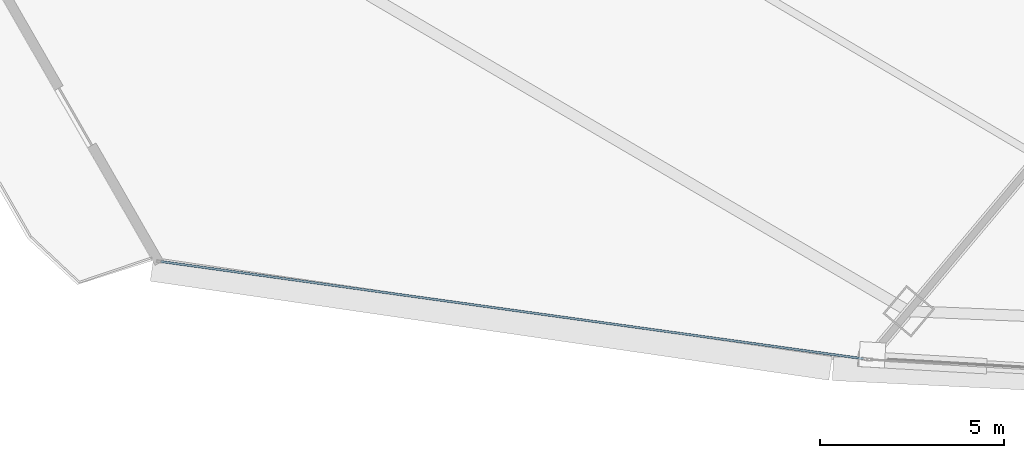
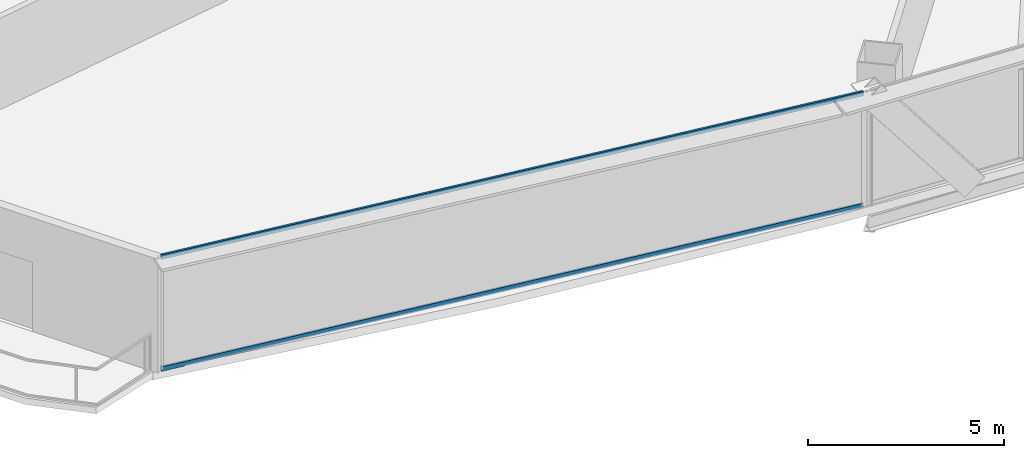
# One storey, part 3 of 36: 2 members, 1 element without a shape of its own.
"""IFC4 building model written with IfcOpenShell, lengths in metres."""

from ifc_helpers import new_model, si_unit, direction, frame, origin, origin_2d, place, context, subcontext, project, spatial, hollow_rectangle, extrude, source, transform, mapped, material, layer, layer_set, material_profile, profile_set, type_object, element, aggregate, save


model = new_model("IFC4")

# Units and contexts
model_context = context("Model", 3, precision=1e-05, world=origin(), true_north=direction((0.0, 1.0)))
body_context = subcontext(model_context, "Body", "Model", "MODEL_VIEW")
ifc_project = project(units=[si_unit("LENGTHUNIT", "METRE"), si_unit("AREAUNIT", "SQUARE_METRE"), si_unit("VOLUMEUNIT", "CUBIC_METRE"), si_unit("PLANEANGLEUNIT", "RADIAN"), si_unit("MASSUNIT", "GRAM", prefix="KILO"), si_unit("THERMODYNAMICTEMPERATUREUNIT", "KELVIN"), si_unit("POWERUNIT", "WATT")], contexts=[model_context])

# Site, building, storey
site_placement = place(None, origin())
site = spatial("IfcSite", under=ifc_project, at=site_placement, CompositionType="ELEMENT")
building_placement = place(site_placement, origin())
building = spatial("IfcBuilding", under=site, at=building_placement, Name="Yunzhuo Pagoda Commons", CompositionType="ELEMENT")
storey_placement = place(building_placement, frame((0.0, 0.0, 107.780029296875)))
storey = spatial("IfcBuildingStorey", under=building, at=storey_placement, Name="L27", CompositionType="ELEMENT", Elevation=107.780029296875)

# Curtain wall, members
ifc_material = material(Name="Anodized aluminium 6063-T6", Category="aluminium")
ifc_layer = layer(ifc_material, 0.1650390625)
ifc_layer_set = layer_set([ifc_layer], Name="Anodized aluminium 6063-T6")
curtain_wall_type = type_object("IfcCurtainWallType", Name="CW-LOW Low-Zone Ribbon Curtain Wall", PredefinedType="NOTDEFINED", material=ifc_layer_set)
curtain_wall_placement = place(storey_placement, origin())
curtain_wall = element("IfcCurtainWall", 1, at=curtain_wall_placement, inside=storey, type_object=curtain_wall_type, Name="L27 curtain wall CW-L27-F1B1", PredefinedType="NOTDEFINED")
ifc_material_profile = material_profile(ifc_material, hollow_rectangle(XDim=0.06005859375, YDim=0.139892578125, WallThickness=0.00341796875, at=origin_2d()), Name="Anodized aluminium 6063-T6")
ifc_profile_set = profile_set([ifc_material_profile], Name="Anodized aluminium 6063-T6")
member_type = type_object("IfcMemberType", Name="CW-LOW-T Transom RHS 140x60x3.5", PredefinedType="USERDEFINED", material=ifc_profile_set)
shared_shape = source(origin(), body_context, "Body", "SweptSolid", [
    extrude(hollow_rectangle(XDim=0.06005859375, YDim=0.139892578125, WallThickness=0.00341796875, at=origin_2d()), origin(), (0.0, 0.0, 1.0), 19.305908203125),
])
member_1_placement = place(storey_placement, frame((11.201416015625, 15.466552734375, 0.030029296875), z_axis=(0.990559643885, -0.137082427419, 0.0), x_axis=(0.137082427419, 0.990559643885, 0.0)))
member_1 = element("IfcMember", 2, at=member_1_placement, type_object=member_type, Name="CW transom 1.1", ObjectType="TRANSOM", PredefinedType="USERDEFINED", context=body_context, shape_type="MappedRepresentation", body=[
    mapped(shared_shape, transform((0.0, 0.0, 0.0), scale=1.0)),
])
member_2_placement = place(storey_placement, frame((11.201416015625, 15.466552734375, 3.510009765625), z_axis=(0.990559643885, -0.137082427419, 0.0), x_axis=(0.137082427419, 0.990559643885, 0.0)))
member_2 = element("IfcMember", 3, at=member_2_placement, type_object=member_type, Name="CW transom 1.2", ObjectType="TRANSOM", PredefinedType="USERDEFINED", context=body_context, shape_type="MappedRepresentation", body=[
    mapped(shared_shape, transform((0.0, 0.0, 0.0), scale=1.0)),
])
aggregate(curtain_wall, [member_1, member_2])

save(model, "model.ifc")
